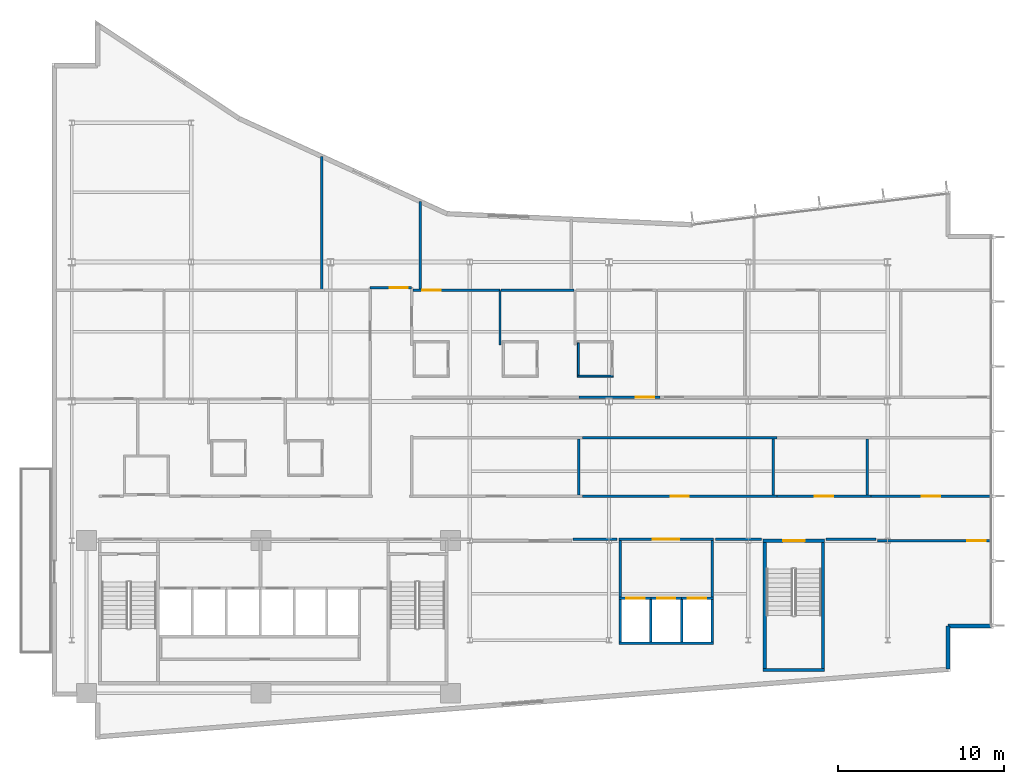
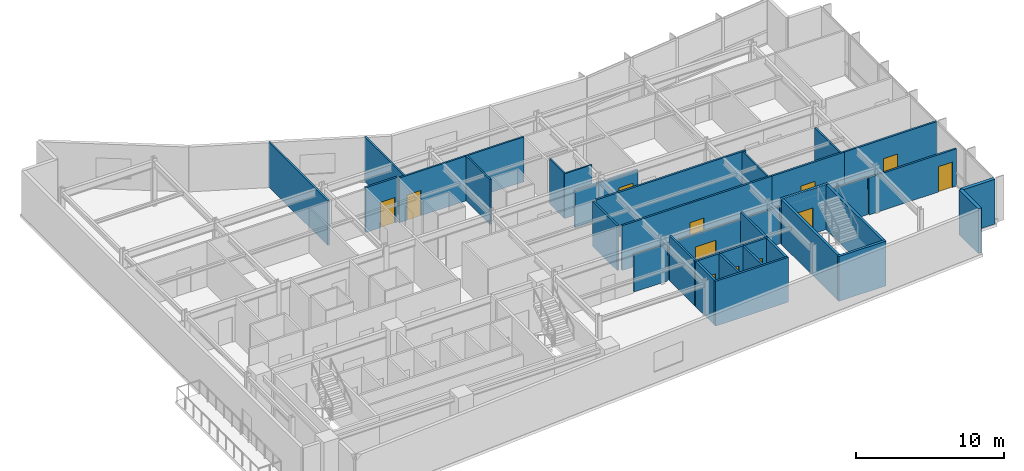
# One storey, part 12 of 18: 37 walls, 12 doors, 12 openings.
"""IFC4 building model written with IfcOpenShell, lengths in metres."""

from ifc_helpers import new_model, si_unit, direction, frame, frame_2d, origin, place, context, subcontext, project, spatial, rectangle, extrude, material, layer, layer_set, type_object, element, fill, save


model = new_model("IFC4")

# Units and contexts
model_context = context("Model", 3, precision=1e-05, world=origin(), true_north=direction((0.0, 1.0)))
body_context = subcontext(model_context, "Body", "Model", "MODEL_VIEW")
ifc_project = project(units=[si_unit("LENGTHUNIT", "METRE"), si_unit("AREAUNIT", "SQUARE_METRE"), si_unit("VOLUMEUNIT", "CUBIC_METRE"), si_unit("PLANEANGLEUNIT", "RADIAN"), si_unit("MASSUNIT", "GRAM", prefix="KILO")], contexts=[model_context])

# Site, building, storey
site_placement = place(None, origin())
site = spatial("IfcSite", under=ifc_project, at=site_placement, CompositionType="ELEMENT")
building_placement = place(site_placement, origin())
building = spatial("IfcBuilding", under=site, at=building_placement, Name="Varnakote Quay Hospital", CompositionType="ELEMENT")
storey_placement = place(building_placement, frame((0.0, 0.0, 158.64990234375)))
storey = spatial("IfcBuildingStorey", under=building, at=storey_placement, Name="L39", CompositionType="ELEMENT", Elevation=158.64990234375)

# Walls
ifc_material_1 = material(Name="Fire-rated acoustic gypsum stud wall", Category="gypsum")
ifc_layer_1 = layer(ifc_material_1, 0.159912109375)
ifc_layer_set_1 = layer_set([ifc_layer_1], Name="Fire-rated acoustic gypsum stud wall")
wall_type_1 = type_object("IfcWallType", Name="WL-COMP-160", PredefinedType="PARTITIONING", material=ifc_layer_set_1)
for number, where, z_axis, x_axis, name in (
    (1, (34.27001953125, 8.610107421875, 0.0), (0.0, 0.0, 1.0), (0.0, 1.0, 0.0), "L39 Mid-Rise Lift Lobby West Wall"),
    (2, (39.830078125, 8.610107421875, 0.0), (0.0, 0.0, 1.0), (0.0, 1.0, 0.0), "L39 Mid-Rise Lift Lobby East Wall"),
):
    element("IfcWall", number, at=place(storey_placement, frame(where, z_axis=z_axis, x_axis=x_axis)), inside=storey, type_object=wall_type_1, Name=name, PredefinedType="PARTITIONING", context=body_context, shape_type="SweptSolid", body=[
        extrude(rectangle(XDim=3.389892578125, YDim=0.159912109375, at=frame_2d((1.69482421875, 0.0))), origin(), (0.0, 0.0, 1.0), 3.710205078125),
    ])

# Wall, opening, door
wall_1_placement = place(storey_placement, frame((34.18994140625, 12.080078125, 0.0), z_axis=(0.0, 0.0, 1.0), x_axis=(1.0, 0.0, 0.0)))
wall_1 = element("IfcWall", 3, at=wall_1_placement, inside=storey, type_object=wall_type_1, Name="L39 Mid-Rise Lift Lobby North Wall", PredefinedType="PARTITIONING", context=body_context, shape_type="SweptSolid", body=[
    extrude(rectangle(XDim=5.719970703125, YDim=0.159912109375, at=frame_2d((2.85986328125, 0.0))), origin(), (0.0, 0.0, 1.0), 3.0830078125),
])
opening_1_placement = place(wall_1_placement, frame((2.06005859375, 0.0, 0.0)))
opening_1 = element("IfcOpeningElement", 4, at=opening_1_placement, cuts=wall_1, Name="Opening D-PML-L39", PredefinedType="OPENING", context=body_context, shape_type="SweptSolid", body=[
    extrude(rectangle(XDim=1.60009765625, YDim=2.050048828125, at=frame_2d((0.800048828125, 1.02490234375))), frame((0.0, 0.08984375, 0.0), z_axis=(0.0, -1.0, 0.0), x_axis=(1.0, 0.0, 0.0)), (0.0, 0.0, 1.0), 0.179931640625),
])
ifc_material_2 = material(Name="Fire-rated double smoke lobby door")
door_type_1 = type_object("IfcDoorType", Name="DR-LOBBY-FD60S-1600x2150", OperationType="NOTDEFINED", PredefinedType="DOOR", material=ifc_material_2)
door_1_placement = place(opening_1_placement, origin())
door_1 = element("IfcDoor", 5, at=door_1_placement, inside=storey, type_object=door_type_1, Name="L39 Mid-Rise Passenger Concourse Vestibule Door", OperationType="DOUBLE_DOOR_SINGLE_SWING", OverallHeight=2.050048828125, OverallWidth=1.60009765625, PredefinedType="DOOR", context=body_context, shape_type="SweptSolid", body=[
    extrude(rectangle(XDim=1.60009765625, YDim=2.050048828125, at=frame_2d((0.800048828125, 1.02490234375))), frame((0.0, 0.02490234375, 0.0), z_axis=(0.0, -1.0, 0.0), x_axis=(1.0, 0.0, 0.0)), (0.0, 0.0, 1.0), 0.050048828125),
])
fill(opening_1, door_1)

# Walls
wall_2_placement = place(storey_placement, frame((31.439208984375, 12.080078125, 0.0), z_axis=(0.0, 0.0, 1.0), x_axis=(1.0, 0.0, 0.0)))
element("IfcWall", 6, at=wall_2_placement, inside=storey, type_object=wall_type_1, Name="L39 Corridor South Gap Wall", PredefinedType="PARTITIONING", context=body_context, shape_type="SweptSolid", body=[
    extrude(rectangle(XDim=2.630859375, YDim=0.159912109375, at=frame_2d((1.3154296875, 0.0))), origin(), (0.0, 0.0, 1.0), 3.0830078125),
])
wall_3_placement = place(storey_placement, frame((40.030029296875, 12.080078125, 0.0), z_axis=(0.0, 0.0, 1.0), x_axis=(1.0, 0.0, 0.0)))
element("IfcWall", 7, at=wall_3_placement, inside=storey, type_object=wall_type_1, Name="L39 Corridor South Gap Wall", PredefinedType="PARTITIONING", context=body_context, shape_type="SweptSolid", body=[
    extrude(rectangle(XDim=2.78076171875, YDim=0.159912109375, at=frame_2d((1.390380859375, 0.0))), origin(), (0.0, 0.0, 1.0), 3.0830078125),
])
wall_4_placement = place(storey_placement, frame((46.689208984375, 12.080078125, 0.0), z_axis=(0.0, 0.0, 1.0), x_axis=(1.0, 0.0, 0.0)))
element("IfcWall", 8, at=wall_4_placement, inside=storey, type_object=wall_type_1, Name="L39 Corridor South Gap Wall", PredefinedType="PARTITIONING", context=body_context, shape_type="SweptSolid", body=[
    extrude(rectangle(XDim=3.0107421875, YDim=0.159912109375, at=frame_2d((1.50537109375, 0.0))), origin(), (0.0, 0.0, 1.0), 3.0830078125),
])
ifc_material_3 = material(Name="Moisture-resistant bathroom partition", Category="gypsum")
ifc_layer_2 = layer(ifc_material_3, 0.114990234375)
ifc_layer_set_2 = layer_set([ifc_layer_2], Name="Moisture-resistant bathroom partition")
wall_type_2 = type_object("IfcWallType", Name="WL-ENS-115", PredefinedType="PARTITIONING", material=ifc_layer_set_2)
wall_5_placement = place(storey_placement, frame((31.695068359375, 21.922607421875, 0.0), z_axis=(0.0, 0.0, 1.0), x_axis=(1.0, 0.0, 0.0)))
element("IfcWall", 9, at=wall_5_placement, inside=storey, type_object=wall_type_2, Name="L39 Inpatient En-Suite Bathroom 05 S Wall", PredefinedType="PARTITIONING", context=body_context, shape_type="SweptSolid", body=[
    extrude(rectangle(XDim=2.14990234375, YDim=0.114990234375, at=frame_2d((1.074951171875, 0.0))), origin(), (0.0, 0.0, 1.0), 3.710205078125),
])
wall_6_placement = place(storey_placement, frame((31.75244140625, 21.97998046875, 0.0), z_axis=(0.0, 0.0, 1.0), x_axis=(0.0, 1.0, 0.0)))
element("IfcWall", 10, at=wall_6_placement, inside=storey, type_object=wall_type_2, Name="L39 Inpatient En-Suite Bathroom 05 W Wall", PredefinedType="PARTITIONING", context=body_context, shape_type="SweptSolid", body=[
    extrude(rectangle(XDim=1.949951171875, YDim=0.114990234375, at=frame_2d((0.97509765625, 0.0))), origin(), (0.0, 0.0, 1.0), 3.710205078125),
])
ifc_material_4 = material(Name="Precast concrete N50 (f'c 50 MPa)", Category="concrete")
ifc_layer_3 = layer(ifc_material_4, 0.260009765625)
ifc_layer_set_3 = layer_set([ifc_layer_3], Name="Precast concrete N50 (f'c 50 MPa)")
wall_type_3 = type_object("IfcWallType", Name="WL-EXT-BRICK-260", PredefinedType="STANDARD", material=ifc_layer_set_3)
wall_7_placement = place(storey_placement, frame((54.0400390625, 4.247802734375, 0.0), z_axis=(0.0, 0.0, 1.0), x_axis=(0.0, 1.0, 0.0)))
element("IfcWall", 11, at=wall_7_placement, inside=storey, type_object=wall_type_3, Name="L39 Brick-Faced Precast Exterior Wall", PredefinedType="STANDARD", context=body_context, shape_type="SweptSolid", body=[
    extrude(rectangle(XDim=2.6123046875, YDim=0.260009765625, at=frame_2d((1.30615234375, 0.0))), origin(), (0.0, 0.0, 1.0), 3.710205078125),
])
wall_8_placement = place(storey_placement, frame((54.0400390625, 6.860107421875, 0.0), z_axis=(0.0, 0.0, 1.0), x_axis=(1.0, 0.0, 0.0)))
element("IfcWall", 12, at=wall_8_placement, inside=storey, type_object=wall_type_3, Name="L39 Brick-Faced Precast Exterior Wall", PredefinedType="STANDARD", context=body_context, shape_type="SweptSolid", body=[
    extrude(rectangle(XDim=2.599853515625, YDim=0.260009765625, at=frame_2d((1.2998046875, 0.0))), origin(), (0.0, 0.0, 1.0), 3.710205078125),
])
ifc_material_5 = material(Name="Concrete N50 (f'c 50 MPa)", Category="concrete")
ifc_layer_4 = layer(ifc_material_5, 0.14990234375)
ifc_layer_set_4 = layer_set([ifc_layer_4], Name="Concrete N50 (f'c 50 MPa)")
wall_type_4 = type_object("IfcWallType", Name="WL-SHAFT-N50-150", PredefinedType="SHEAR", material=ifc_layer_set_4)
for number, where, z_axis, x_axis, name in (
    (13, (36.125, 5.89990234375, 0.0), (0.0, 0.0, 1.0), (0.0, 1.0, 0.0), "L39 LF-PM1 Hoistway Divider Wall"),
    (14, (37.97509765625, 5.89990234375, 0.0), (0.0, 0.0, 1.0), (0.0, 1.0, 0.0), "L39 LF-PM2 Hoistway Divider Wall"),
):
    element("IfcWall", number, at=place(storey_placement, frame(where, z_axis=z_axis, x_axis=x_axis)), inside=storey, type_object=wall_type_4, Name=name, PredefinedType="SHEAR", context=body_context, shape_type="SweptSolid", body=[
        extrude(rectangle(XDim=2.550048828125, YDim=0.14990234375, at=frame_2d((1.27490234375, 0.0))), origin(), (0.0, 0.0, 1.0), 3.710205078125),
    ])
ifc_material_6 = material(Name="Concrete N50 (f'c 50 MPa)", Category="concrete")
ifc_layer_5 = layer(ifc_material_6, 0.159912109375)
ifc_layer_set_5 = layer_set([ifc_layer_5], Name="Concrete N50 (f'c 50 MPa)")
wall_type_5 = type_object("IfcWallType", Name="WL-SHAFT-N50-160", PredefinedType="SHEAR", material=ifc_layer_set_5)
wall_9_placement = place(storey_placement, frame((34.18994140625, 5.820068359375, 0.0), z_axis=(0.0, 0.0, 1.0), x_axis=(1.0, 0.0, 0.0)))
element("IfcWall", 15, at=wall_9_placement, inside=storey, type_object=wall_type_5, Name="L39 MID Lift Bank Back Shear Wall", PredefinedType="SHEAR", context=body_context, shape_type="SweptSolid", body=[
    extrude(rectangle(XDim=5.719970703125, YDim=0.159912109375, at=frame_2d((2.85986328125, 0.0))), origin(), (0.0, 0.0, 1.0), 3.710205078125),
])
for number, where, z_axis, x_axis, name in (
    (16, (34.27001953125, 5.89990234375, 0.0), (0.0, 0.0, 1.0), (0.0, 1.0, 0.0), "L39 MID Lift Bank West Shear Wall"),
    (17, (39.830078125, 5.89990234375, 0.0), (0.0, 0.0, 1.0), (0.0, 1.0, 0.0), "L39 MID Lift Bank East Shear Wall"),
):
    element("IfcWall", number, at=place(storey_placement, frame(where, z_axis=z_axis, x_axis=x_axis)), inside=storey, type_object=wall_type_5, Name=name, PredefinedType="SHEAR", context=body_context, shape_type="SweptSolid", body=[
        extrude(rectangle(XDim=2.550048828125, YDim=0.159912109375, at=frame_2d((1.27490234375, 0.0))), origin(), (0.0, 0.0, 1.0), 3.710205078125),
    ])

# Wall, opening, door
wall_10_placement = place(storey_placement, frame((34.18994140625, 8.530029296875, 0.0), z_axis=(0.0, 0.0, 1.0), x_axis=(1.0, 0.0, 0.0)))
wall_10 = element("IfcWall", 18, at=wall_10_placement, inside=storey, type_object=wall_type_5, Name="L39 LF-PM1 Hoistway Front Wall", PredefinedType="SHEAR", context=body_context, shape_type="SweptSolid", body=[
    extrude(rectangle(XDim=1.93505859375, YDim=0.159912109375, at=frame_2d((0.967529296875, 0.0))), origin(), (0.0, 0.0, 1.0), 3.710205078125),
])
opening_2_placement = place(wall_10_placement, frame((0.4599609375, 0.0, 0.0)))
opening_2 = element("IfcOpeningElement", 19, at=opening_2_placement, cuts=wall_10, Name="Opening LD-PM1-L39", PredefinedType="OPENING", context=body_context, shape_type="SweptSolid", body=[
    extrude(rectangle(XDim=1.10009765625, YDim=2.14990234375, at=frame_2d((0.550048828125, 1.074951171875))), frame((0.0, 0.08984375, 0.0), z_axis=(0.0, -1.0, 0.0), x_axis=(1.0, 0.0, 0.0)), (0.0, 0.0, 1.0), 0.179931640625),
])
ifc_material_7 = material(Name="Brushed bronze lift landing sliding door")
door_type_2 = type_object("IfcDoorType", Name="DR-LIFT-LD-1100x2150", OperationType="NOTDEFINED", PredefinedType="DOOR", material=ifc_material_7)
door_2_placement = place(opening_2_placement, origin())
door_2 = element("IfcDoor", 20, at=door_2_placement, inside=storey, type_object=door_type_2, Name="L39 LF-PM1 Lift Landing Sliding Door", OperationType="SLIDING_TO_LEFT", OverallHeight=2.14990234375, OverallWidth=1.10009765625, PredefinedType="DOOR", context=body_context, shape_type="SweptSolid", body=[
    extrude(rectangle(XDim=1.10009765625, YDim=2.14990234375, at=frame_2d((0.550048828125, 1.074951171875))), frame((0.0, 0.02490234375, 0.0), z_axis=(0.0, -1.0, 0.0), x_axis=(1.0, 0.0, 0.0)), (0.0, 0.0, 1.0), 0.050048828125),
])
fill(opening_2, door_2)

wall_11_placement = place(storey_placement, frame((36.125, 8.530029296875, 0.0), z_axis=(0.0, 0.0, 1.0), x_axis=(1.0, 0.0, 0.0)))
wall_11 = element("IfcWall", 21, at=wall_11_placement, inside=storey, type_object=wall_type_5, Name="L39 LF-PM2 Hoistway Front Wall", PredefinedType="SHEAR", context=body_context, shape_type="SweptSolid", body=[
    extrude(rectangle(XDim=1.85009765625, YDim=0.159912109375, at=frame_2d((0.925048828125, 0.0))), origin(), (0.0, 0.0, 1.0), 3.710205078125),
])
opening_3_placement = place(wall_11_placement, frame((0.375, 0.0, 0.0)))
opening_3 = element("IfcOpeningElement", 22, at=opening_3_placement, cuts=wall_11, Name="Opening LD-PM2-L39", PredefinedType="OPENING", context=body_context, shape_type="SweptSolid", body=[
    extrude(rectangle(XDim=1.10009765625, YDim=2.14990234375, at=frame_2d((0.550048828125, 1.074951171875))), frame((0.0, 0.08984375, 0.0), z_axis=(0.0, -1.0, 0.0), x_axis=(1.0, 0.0, 0.0)), (0.0, 0.0, 1.0), 0.179931640625),
])
door_3_placement = place(opening_3_placement, origin())
door_3 = element("IfcDoor", 23, at=door_3_placement, inside=storey, type_object=door_type_2, Name="L39 LF-PM2 Lift Landing Sliding Door", OperationType="SLIDING_TO_LEFT", OverallHeight=2.14990234375, OverallWidth=1.10009765625, PredefinedType="DOOR", context=body_context, shape_type="SweptSolid", body=[
    extrude(rectangle(XDim=1.10009765625, YDim=2.14990234375, at=frame_2d((0.550048828125, 1.074951171875))), frame((0.0, 0.02490234375, 0.0), z_axis=(0.0, -1.0, 0.0), x_axis=(1.0, 0.0, 0.0)), (0.0, 0.0, 1.0), 0.050048828125),
])
fill(opening_3, door_3)

wall_12_placement = place(storey_placement, frame((37.97509765625, 8.530029296875, 0.0), z_axis=(0.0, 0.0, 1.0), x_axis=(1.0, 0.0, 0.0)))
wall_12 = element("IfcWall", 24, at=wall_12_placement, inside=storey, type_object=wall_type_5, Name="L39 LF-PM3 Hoistway Front Wall", PredefinedType="SHEAR", context=body_context, shape_type="SweptSolid", body=[
    extrude(rectangle(XDim=1.934814453125, YDim=0.159912109375, at=frame_2d((0.96728515625, 0.0))), origin(), (0.0, 0.0, 1.0), 3.710205078125),
])
opening_4_placement = place(wall_12_placement, frame((0.375, 0.0, 0.0)))
opening_4 = element("IfcOpeningElement", 25, at=opening_4_placement, cuts=wall_12, Name="Opening LD-PM3-L39", PredefinedType="OPENING", context=body_context, shape_type="SweptSolid", body=[
    extrude(rectangle(XDim=1.10009765625, YDim=2.14990234375, at=frame_2d((0.550048828125, 1.074951171875))), frame((0.0, 0.08984375, 0.0), z_axis=(0.0, -1.0, 0.0), x_axis=(1.0, 0.0, 0.0)), (0.0, 0.0, 1.0), 0.179931640625),
])
door_4_placement = place(opening_4_placement, origin())
door_4 = element("IfcDoor", 26, at=door_4_placement, inside=storey, type_object=door_type_2, Name="L39 LF-PM3 Lift Landing Sliding Door", OperationType="SLIDING_TO_LEFT", OverallHeight=2.14990234375, OverallWidth=1.10009765625, PredefinedType="DOOR", context=body_context, shape_type="SweptSolid", body=[
    extrude(rectangle(XDim=1.10009765625, YDim=2.14990234375, at=frame_2d((0.550048828125, 1.074951171875))), frame((0.0, 0.02490234375, 0.0), z_axis=(0.0, -1.0, 0.0), x_axis=(1.0, 0.0, 0.0)), (0.0, 0.0, 1.0), 0.050048828125),
])
fill(opening_4, door_4)

# Walls
ifc_material_8 = material(Name="Concrete N50 (f'c 50 MPa)", Category="concrete")
ifc_layer_6 = layer(ifc_material_8, 0.199951171875)
ifc_layer_set_6 = layer_set([ifc_layer_6], Name="Concrete N50 (f'c 50 MPa)")
wall_type_6 = type_object("IfcWallType", Name="WL-SHAFT-N50-200", PredefinedType="SHEAR", material=ifc_layer_set_6)
wall_13_placement = place(storey_placement, frame((42.89990234375, 4.199951171875, 0.0), z_axis=(0.0, 0.0, 1.0), x_axis=(1.0, 0.0, 0.0)))
element("IfcWall", 27, at=wall_13_placement, inside=storey, type_object=wall_type_6, Name="L39 Stair ST3 South Shaft Wall", PredefinedType="SHEAR", context=body_context, shape_type="SweptSolid", body=[
    extrude(rectangle(XDim=3.7001953125, YDim=0.199951171875, at=frame_2d((1.85009765625, 0.0))), origin(), (0.0, 0.0, 1.0), 3.710205078125),
])
for number, where, z_axis, x_axis, name in (
    (28, (43.0, 4.300048828125, 0.0), (0.0, 0.0, 1.0), (0.0, 1.0, 0.0), "L39 Stair ST3 West Shaft Wall"),
    (29, (46.5, 4.300048828125, 0.0), (0.0, 0.0, 1.0), (0.0, 1.0, 0.0), "L39 Stair ST3 East Shaft Wall"),
):
    element("IfcWall", number, at=place(storey_placement, frame(where, z_axis=z_axis, x_axis=x_axis)), inside=storey, type_object=wall_type_6, Name=name, PredefinedType="SHEAR", context=body_context, shape_type="SweptSolid", body=[
        extrude(rectangle(XDim=7.599853515625, YDim=0.199951171875, at=frame_2d((3.7998046875, 0.0))), origin(), (0.0, 0.0, 1.0), 3.710205078125),
    ])

# Wall, opening, door
wall_14_placement = place(storey_placement, frame((42.89990234375, 12.0, 0.0), z_axis=(0.0, 0.0, 1.0), x_axis=(1.0, 0.0, 0.0)))
wall_14 = element("IfcWall", 30, at=wall_14_placement, inside=storey, type_object=wall_type_6, Name="L39 Stair ST3 Exit Wall", PredefinedType="SHEAR", context=body_context, shape_type="SweptSolid", body=[
    extrude(rectangle(XDim=3.7001953125, YDim=0.199951171875, at=frame_2d((1.85009765625, 0.0))), origin(), (0.0, 0.0, 1.0), 3.710205078125),
])
opening_5_placement = place(wall_14_placement, frame((1.199951171875, 0.0, 0.0)))
opening_5 = element("IfcOpeningElement", 31, at=opening_5_placement, cuts=wall_14, Name="Opening D-ST3-L39", PredefinedType="OPENING", context=body_context, shape_type="SweptSolid", body=[
    extrude(rectangle(XDim=1.300048828125, YDim=2.14990234375, at=frame_2d((0.64990234375, 1.074951171875))), frame((0.0, 0.10986328125, 0.0), z_axis=(0.0, -1.0, 0.0), x_axis=(1.0, 0.0, 0.0)), (0.0, 0.0, 1.0), 0.219970703125),
])
ifc_material_9 = material(Name="Fire-rated ceramic-glazed timber exit door", Category="wood")
door_type_3 = type_object("IfcDoorType", Name="DR-STAIR-FD60S-1300x2150", OperationType="NOTDEFINED", PredefinedType="DOOR", material=ifc_material_9)
door_5_placement = place(opening_5_placement, origin())
door_5 = element("IfcDoor", 32, at=door_5_placement, inside=storey, type_object=door_type_3, Name="L39 Stair ST3 Fire Exit Door", OperationType="SINGLE_SWING_RIGHT", OverallHeight=2.14990234375, OverallWidth=1.300048828125, PredefinedType="DOOR", context=body_context, shape_type="SweptSolid", body=[
    extrude(rectangle(XDim=1.300048828125, YDim=2.14990234375, at=frame_2d((0.64990234375, 1.074951171875))), frame((0.0, 0.02490234375, 0.0), z_axis=(0.0, -1.0, 0.0), x_axis=(1.0, 0.0, 0.0)), (0.0, 0.0, 1.0), 0.050048828125),
])
fill(opening_5, door_5)

# Walls
ifc_material_10 = material(Name="Smoke-proof clinical partition", Category="gypsum")
ifc_layer_7 = layer(ifc_material_10, 0.135009765625)
ifc_layer_set_7 = layer_set([ifc_layer_7], Name="Smoke-proof clinical partition")
wall_type_7 = type_object("IfcWallType", Name="WL-SMOKE-135", PredefinedType="PARTITIONING", material=ifc_layer_set_7)
for number, where, z_axis, x_axis, name in (
    (33, (31.780029296875, 14.760009765625, 0.0), (0.0, 0.0, 1.0), (0.0, 1.0, 0.0), "L39 Clinical Interior Partition"),
    (34, (43.5, 14.760009765625, 0.0), (0.0, 0.0, 1.0), (0.0, 1.0, 0.0), "L39 Clinical Interior Partition"),
    (35, (49.169921875, 14.760009765625, 0.0), (0.0, 0.0, 1.0), (0.0, 1.0, 0.0), "L39 Clinical Interior Partition"),
):
    element("IfcWall", number, at=place(storey_placement, frame(where, z_axis=z_axis, x_axis=x_axis)), inside=storey, type_object=wall_type_7, Name=name, PredefinedType="PARTITIONING", context=body_context, shape_type="SweptSolid", body=[
        extrude(rectangle(XDim=3.360107421875, YDim=0.135009765625, at=frame_2d((1.68017578125, 0.0))), origin(), (0.0, 0.0, 1.0), 3.710205078125),
    ])
wall_15_placement = place(storey_placement, frame((27.030029296875, 23.802490234375, 0.0), z_axis=(0.0, 0.0, 1.0), x_axis=(0.0, 1.0, 0.0)))
element("IfcWall", 36, at=wall_15_placement, inside=storey, type_object=wall_type_7, Name="L39 Clinical Interior Partition", PredefinedType="PARTITIONING", context=body_context, shape_type="SweptSolid", body=[
    extrude(rectangle(XDim=3.297607421875, YDim=0.135009765625, at=frame_2d((1.64892578125, 0.0))), origin(), (0.0, 0.0, 1.0), 3.710205078125),
])

# Wall, opening, door
wall_16_placement = place(storey_placement, frame((27.030029296875, 27.10009765625, 0.0), z_axis=(0.0, 0.0, 1.0), x_axis=(-1.0, 0.0, 0.0)))
wall_16 = element("IfcWall", 37, at=wall_16_placement, inside=storey, type_object=wall_type_7, Name="L39 Clinical Interior Partition", PredefinedType="PARTITIONING", context=body_context, shape_type="SweptSolid", body=[
    extrude(rectangle(XDim=5.26513671875, YDim=0.135009765625, at=frame_2d((2.632568359375, 0.0))), origin(), (0.0, 0.0, 1.0), 3.710205078125),
])
opening_6_placement = place(wall_16_placement, frame((3.58837890625, 0.0, 0.0)))
opening_6 = element("IfcOpeningElement", 38, at=opening_6_placement, cuts=wall_16, Name="Opening D-L39-MD15", PredefinedType="OPENING", context=body_context, shape_type="SweptSolid", body=[
    extrude(rectangle(XDim=1.10009765625, YDim=2.10009765625, at=frame_2d((0.550048828125, 1.050048828125))), frame((0.0, 0.077392578125, 0.0), z_axis=(0.0, -1.0, 0.0), x_axis=(1.0, 0.0, 0.0)), (0.0, 0.0, 1.0), 0.155029296875),
])
ifc_material_11 = material(Name="Acoustic timber clinical consult door", Category="wood")
door_type_4 = type_object("IfcDoorType", Name="DR-CLIN-FD30S-1100x2100", OperationType="NOTDEFINED", PredefinedType="DOOR", material=ifc_material_11)
door_6_placement = place(opening_6_placement, origin())
door_6 = element("IfcDoor", 39, at=door_6_placement, inside=storey, type_object=door_type_4, Name="L39 Specialist Handover Meeting Room Door", OperationType="SINGLE_SWING_LEFT", OverallHeight=2.10009765625, OverallWidth=1.10009765625, PredefinedType="DOOR", context=body_context, shape_type="SweptSolid", body=[
    extrude(rectangle(XDim=1.10009765625, YDim=2.10009765625, at=frame_2d((0.550048828125, 1.050048828125))), frame((0.0, 0.02490234375, 0.0), z_axis=(0.0, -1.0, 0.0), x_axis=(1.0, 0.0, 0.0)), (0.0, 0.0, 1.0), 0.050048828125),
])
fill(opening_6, door_6)

# Walls
wall_17_placement = place(storey_placement, frame((31.49853515625, 27.10009765625, 0.0), z_axis=(0.0, 0.0, 1.0), x_axis=(-1.0, 0.0, 0.0)))
element("IfcWall", 40, at=wall_17_placement, inside=storey, type_object=wall_type_7, Name="L39 Clinical Interior Partition", PredefinedType="PARTITIONING", context=body_context, shape_type="SweptSolid", body=[
    extrude(rectangle(XDim=4.4111328125, YDim=0.135009765625, at=frame_2d((2.20556640625, 0.0))), origin(), (0.0, 0.0, 1.0), 3.710205078125),
])
wall_18_placement = place(storey_placement, frame((16.27001953125, 27.157470703125, 0.0), z_axis=(0.0, 0.0, 1.0), x_axis=(0.0, 1.0, 0.0)))
element("IfcWall", 41, at=wall_18_placement, inside=storey, type_object=wall_type_7, Name="L39 Clinical Interior Partition", PredefinedType="PARTITIONING", context=body_context, shape_type="SweptSolid", body=[
    extrude(rectangle(XDim=8.01416015625, YDim=0.135009765625, at=frame_2d((4.007080078125, 0.0))), origin(), (0.0, 0.0, 1.0), 3.710205078125),
])
wall_19_placement = place(storey_placement, frame((22.219970703125, 27.157470703125, 0.0), z_axis=(0.0, 0.0, 1.0), x_axis=(0.0, 1.0, 0.0)))
element("IfcWall", 42, at=wall_19_placement, inside=storey, type_object=wall_type_7, Name="L39 Clinical Interior Partition", PredefinedType="PARTITIONING", context=body_context, shape_type="SweptSolid", body=[
    extrude(rectangle(XDim=5.289794921875, YDim=0.135009765625, at=frame_2d((2.64501953125, 0.0))), origin(), (0.0, 0.0, 1.0), 3.710205078125),
])

# Wall, opening, door
ifc_material_12 = material(Name="Fire-rated clinical gypsum partition", Category="gypsum")
ifc_layer_8 = layer(ifc_material_12, 0.14990234375)
ifc_layer_set_8 = layer_set([ifc_layer_8], Name="Fire-rated clinical gypsum partition")
wall_type_8 = type_object("IfcWallType", Name="WL-WARD-150", PredefinedType="PARTITIONING", material=ifc_layer_set_8)
wall_20_placement = place(storey_placement, frame((56.639892578125, 12.0, 0.0), z_axis=(0.0, 0.0, 1.0), x_axis=(-1.0, 0.0, 0.0)))
wall_20 = element("IfcWall", 43, at=wall_20_placement, inside=storey, type_object=wall_type_8, Name="L39 Clinical Interior Partition", PredefinedType="PARTITIONING", context=body_context, shape_type="SweptSolid", body=[
    extrude(rectangle(XDim=6.83984375, YDim=0.14990234375, at=frame_2d((3.419921875, 0.0))), origin(), (0.0, 0.0, 1.0), 3.0830078125),
])
opening_7_placement = place(wall_20_placement, frame((0.33349609375, 0.0, 0.0)))
opening_7 = element("IfcOpeningElement", 44, at=opening_7_placement, cuts=wall_20, Name="Opening D-L39-SE1", PredefinedType="OPENING", context=body_context, shape_type="SweptSolid", body=[
    extrude(rectangle(XDim=1.10009765625, YDim=2.10009765625, at=frame_2d((0.550048828125, 1.050048828125))), frame((0.0, 0.0849609375, 0.0), z_axis=(0.0, -1.0, 0.0), x_axis=(1.0, 0.0, 0.0)), (0.0, 0.0, 1.0), 0.169921875),
])
door_7_placement = place(opening_7_placement, origin())
door_7 = element("IfcDoor", 45, at=door_7_placement, inside=storey, type_object=door_type_4, Name="L39 Clinical Biomedical Engineering Office Door", OperationType="SINGLE_SWING_RIGHT", OverallHeight=2.10009765625, OverallWidth=1.10009765625, PredefinedType="DOOR", context=body_context, shape_type="SweptSolid", body=[
    extrude(rectangle(XDim=1.10009765625, YDim=2.10009765625, at=frame_2d((0.550048828125, 1.050048828125))), frame((0.0, 0.02490234375, 0.0), z_axis=(0.0, -1.0, 0.0), x_axis=(1.0, 0.0, 0.0)), (0.0, 0.0, 1.0), 0.050048828125),
])
fill(opening_7, door_7)

wall_21_placement = place(storey_placement, frame((43.72607421875, 14.679931640625, 0.0), z_axis=(0.0, 0.0, 1.0), x_axis=(-1.0, 0.0, 0.0)))
wall_21 = element("IfcWall", 46, at=wall_21_placement, inside=storey, type_object=wall_type_8, Name="L39 Clinical Interior Partition", PredefinedType="PARTITIONING", context=body_context, shape_type="SweptSolid", body=[
    extrude(rectangle(XDim=11.718017578125, YDim=0.14990234375, at=frame_2d((5.85888671875, 0.0))), origin(), (0.0, 0.0, 1.0), 3.710205078125),
])
opening_8_placement = place(wall_21_placement, frame((5.30908203125, 0.0, 0.0)))
opening_8 = element("IfcOpeningElement", 47, at=opening_8_placement, cuts=wall_21, Name="Opening D-L39-MD04", PredefinedType="OPENING", context=body_context, shape_type="SweptSolid", body=[
    extrude(rectangle(XDim=1.10009765625, YDim=2.10009765625, at=frame_2d((0.550048828125, 1.050048828125))), frame((0.0, 0.0849609375, 0.0), z_axis=(0.0, -1.0, 0.0), x_axis=(1.0, 0.0, 0.0)), (0.0, 0.0, 1.0), 0.169921875),
])
door_8_placement = place(opening_8_placement, origin())
door_8 = element("IfcDoor", 48, at=door_8_placement, inside=storey, type_object=door_type_4, Name="L39 Clinical Educator Office Door", OperationType="SINGLE_SWING_RIGHT", OverallHeight=2.10009765625, OverallWidth=1.10009765625, PredefinedType="DOOR", context=body_context, shape_type="SweptSolid", body=[
    extrude(rectangle(XDim=1.10009765625, YDim=2.10009765625, at=frame_2d((0.550048828125, 1.050048828125))), frame((0.0, 0.02490234375, 0.0), z_axis=(0.0, -1.0, 0.0), x_axis=(1.0, 0.0, 0.0)), (0.0, 0.0, 1.0), 0.050048828125),
])
fill(opening_8, door_8)

wall_22_placement = place(storey_placement, frame((49.39599609375, 14.679931640625, 0.0), z_axis=(0.0, 0.0, 1.0), x_axis=(-1.0, 0.0, 0.0)))
wall_22 = element("IfcWall", 49, at=wall_22_placement, inside=storey, type_object=wall_type_8, Name="L39 Clinical Interior Partition", PredefinedType="PARTITIONING", context=body_context, shape_type="SweptSolid", body=[
    extrude(rectangle(XDim=5.66796875, YDim=0.14990234375, at=frame_2d((2.833984375, 0.0))), origin(), (0.0, 0.0, 1.0), 3.710205078125),
])
opening_9_placement = place(wall_22_placement, frame((2.283935546875, 0.0, 0.0)))
opening_9 = element("IfcOpeningElement", 50, at=opening_9_placement, cuts=wall_22, Name="Opening D-L39-MD05", PredefinedType="OPENING", context=body_context, shape_type="SweptSolid", body=[
    extrude(rectangle(XDim=1.10009765625, YDim=2.10009765625, at=frame_2d((0.550048828125, 1.050048828125))), frame((0.0, 0.0849609375, 0.0), z_axis=(0.0, -1.0, 0.0), x_axis=(1.0, 0.0, 0.0)), (0.0, 0.0, 1.0), 0.169921875),
])
door_9_placement = place(opening_9_placement, origin())
door_9 = element("IfcDoor", 51, at=door_9_placement, inside=storey, type_object=door_type_4, Name="L39 Clinical Simulation Teaching Room Door", OperationType="SINGLE_SWING_LEFT", OverallHeight=2.10009765625, OverallWidth=1.10009765625, PredefinedType="DOOR", context=body_context, shape_type="SweptSolid", body=[
    extrude(rectangle(XDim=1.10009765625, YDim=2.10009765625, at=frame_2d((0.550048828125, 1.050048828125))), frame((0.0, 0.02490234375, 0.0), z_axis=(0.0, -1.0, 0.0), x_axis=(1.0, 0.0, 0.0)), (0.0, 0.0, 1.0), 0.050048828125),
])
fill(opening_9, door_9)

wall_23_placement = place(storey_placement, frame((56.639892578125, 14.679931640625, 0.0), z_axis=(0.0, 0.0, 1.0), x_axis=(-1.0, 0.0, 0.0)))
wall_23 = element("IfcWall", 52, at=wall_23_placement, inside=storey, type_object=wall_type_8, Name="L39 Clinical Interior Partition", PredefinedType="PARTITIONING", context=body_context, shape_type="SweptSolid", body=[
    extrude(rectangle(XDim=7.241943359375, YDim=0.14990234375, at=frame_2d((3.62109375, 0.0))), origin(), (0.0, 0.0, 1.0), 3.710205078125),
])
opening_10_placement = place(wall_23_placement, frame((3.071044921875, 0.0, 0.0)))
opening_10 = element("IfcOpeningElement", 53, at=opening_10_placement, cuts=wall_23, Name="Opening D-L39-MD06", PredefinedType="OPENING", context=body_context, shape_type="SweptSolid", body=[
    extrude(rectangle(XDim=1.10009765625, YDim=2.10009765625, at=frame_2d((0.550048828125, 1.050048828125))), frame((0.0, 0.0849609375, 0.0), z_axis=(0.0, -1.0, 0.0), x_axis=(1.0, 0.0, 0.0)), (0.0, 0.0, 1.0), 0.169921875),
])
door_10_placement = place(opening_10_placement, origin())
door_10 = element("IfcDoor", 54, at=door_10_placement, inside=storey, type_object=door_type_4, Name="L39 Allied Health Teaching Laboratory Door", OperationType="SINGLE_SWING_RIGHT", OverallHeight=2.10009765625, OverallWidth=1.10009765625, PredefinedType="DOOR", context=body_context, shape_type="SweptSolid", body=[
    extrude(rectangle(XDim=1.10009765625, YDim=2.10009765625, at=frame_2d((0.550048828125, 1.050048828125))), frame((0.0, 0.02490234375, 0.0), z_axis=(0.0, -1.0, 0.0), x_axis=(1.0, 0.0, 0.0)), (0.0, 0.0, 1.0), 0.050048828125),
])
fill(opening_10, door_10)

wall_24_placement = place(storey_placement, frame((21.699951171875, 27.260009765625, 0.0), z_axis=(0.0, 0.0, 1.0), x_axis=(-1.0, 0.0, 0.0)))
wall_24 = element("IfcWall", 55, at=wall_24_placement, inside=storey, type_object=wall_type_8, Name="L39 Clinical Interior Partition", PredefinedType="PARTITIONING", context=body_context, shape_type="SweptSolid", body=[
    extrude(rectangle(XDim=2.5, YDim=0.14990234375, at=frame_2d((1.25, 0.0))), origin(), (0.0, 0.0, 1.0), 3.710205078125),
])
opening_11_placement = place(wall_24_placement, frame((0.22509765625, 0.0, 0.0)))
opening_11 = element("IfcOpeningElement", 56, at=opening_11_placement, cuts=wall_24, Name="Opening D-L39-MD14", PredefinedType="OPENING", context=body_context, shape_type="SweptSolid", body=[
    extrude(rectangle(XDim=1.10009765625, YDim=2.10009765625, at=frame_2d((0.550048828125, 1.050048828125))), frame((0.0, 0.0849609375, 0.0), z_axis=(0.0, -1.0, 0.0), x_axis=(1.0, 0.0, 0.0)), (0.0, 0.0, 1.0), 0.169921875),
])
door_11_placement = place(opening_11_placement, origin())
door_11 = element("IfcDoor", 57, at=door_11_placement, inside=storey, type_object=door_type_4, Name="L39 Allied Health Teaching Laboratory Door", OperationType="SINGLE_SWING_LEFT", OverallHeight=2.10009765625, OverallWidth=1.10009765625, PredefinedType="DOOR", context=body_context, shape_type="SweptSolid", body=[
    extrude(rectangle(XDim=1.10009765625, YDim=2.10009765625, at=frame_2d((0.550048828125, 1.050048828125))), frame((0.0, 0.02490234375, 0.0), z_axis=(0.0, -1.0, 0.0), x_axis=(1.0, 0.0, 0.0)), (0.0, 0.0, 1.0), 0.050048828125),
])
fill(opening_11, door_11)

# Wall
wall_25_placement = place(storey_placement, frame((32.008056640625, 18.199951171875, 0.0), z_axis=(0.0, 0.0, 1.0), x_axis=(1.0, 0.0, 0.0)))
element("IfcWall", 58, at=wall_25_placement, inside=storey, type_object=wall_type_8, Name="L39 Clinical Interior Partition", PredefinedType="PARTITIONING", context=body_context, shape_type="SweptSolid", body=[
    extrude(rectangle(XDim=11.718017578125, YDim=0.14990234375, at=frame_2d((5.85888671875, 0.0))), origin(), (0.0, 0.0, 1.0), 3.710205078125),
])

# Wall, opening, door
wall_26_placement = place(storey_placement, frame((36.68603515625, 20.64990234375, 0.0), z_axis=(0.0, 0.0, 1.0), x_axis=(-1.0, 0.0, 0.0)))
wall_26 = element("IfcWall", 59, at=wall_26_placement, inside=storey, type_object=wall_type_8, Name="L39 Clinical Interior Partition", PredefinedType="PARTITIONING", context=body_context, shape_type="SweptSolid", body=[
    extrude(rectangle(XDim=4.907958984375, YDim=0.14990234375, at=frame_2d((2.4541015625, 0.0))), origin(), (0.0, 0.0, 1.0), 3.0830078125),
])
opening_12_placement = place(wall_26_placement, frame((0.370361328125, 0.0, 0.0)))
opening_12 = element("IfcOpeningElement", 60, at=opening_12_placement, cuts=wall_26, Name="Opening D-L39-BR05", PredefinedType="OPENING", context=body_context, shape_type="SweptSolid", body=[
    extrude(rectangle(XDim=1.10009765625, YDim=2.10009765625, at=frame_2d((0.550048828125, 1.050048828125))), frame((0.0, 0.0849609375, 0.0), z_axis=(0.0, -1.0, 0.0), x_axis=(1.0, 0.0, 0.0)), (0.0, 0.0, 1.0), 0.169921875),
])
door_12_placement = place(opening_12_placement, origin())
door_12 = element("IfcDoor", 61, at=door_12_placement, inside=storey, type_object=door_type_4, Name="L39 Inpatient Clinical Treatment Room 05 Door", OperationType="SINGLE_SWING_LEFT", OverallHeight=2.10009765625, OverallWidth=1.10009765625, PredefinedType="DOOR", context=body_context, shape_type="SweptSolid", body=[
    extrude(rectangle(XDim=1.10009765625, YDim=2.10009765625, at=frame_2d((0.550048828125, 1.050048828125))), frame((0.0, 0.02490234375, 0.0), z_axis=(0.0, -1.0, 0.0), x_axis=(1.0, 0.0, 0.0)), (0.0, 0.0, 1.0), 0.050048828125),
])
fill(opening_12, door_12)

save(model, "model.ifc")
